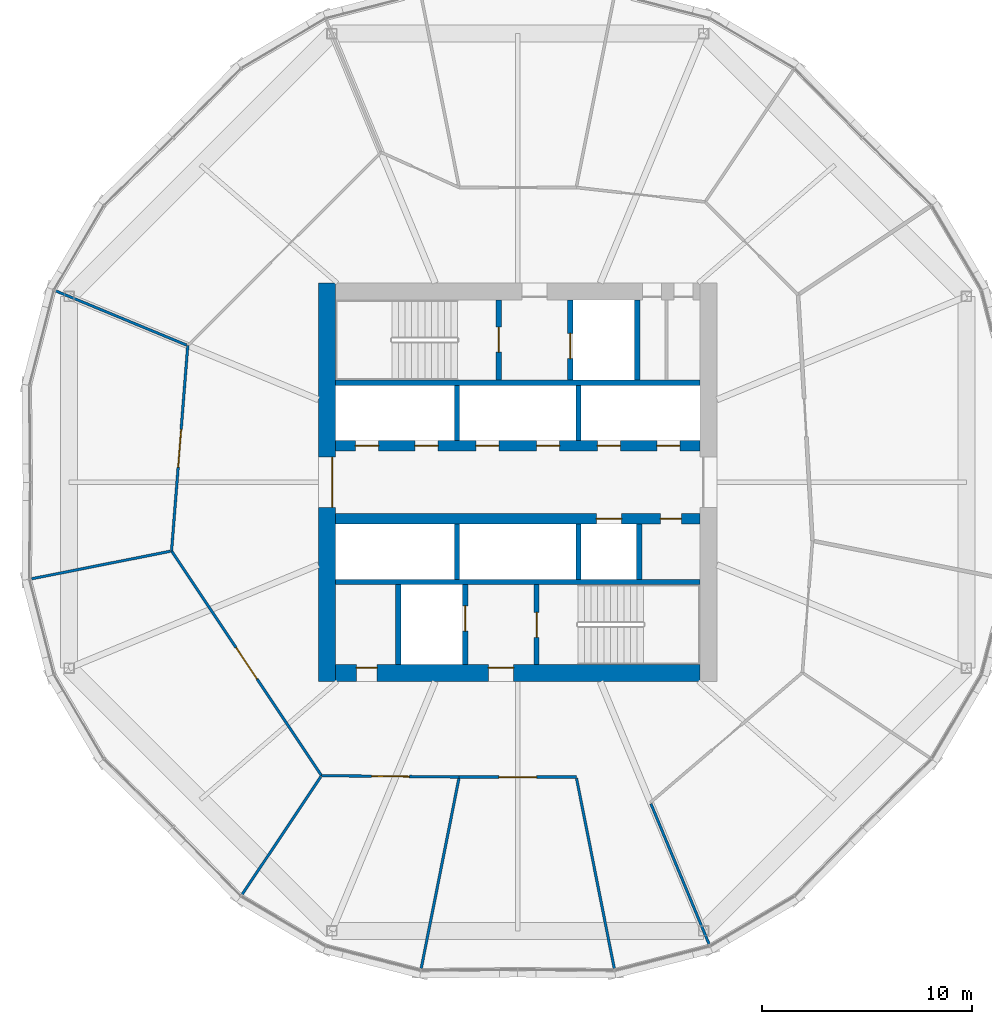
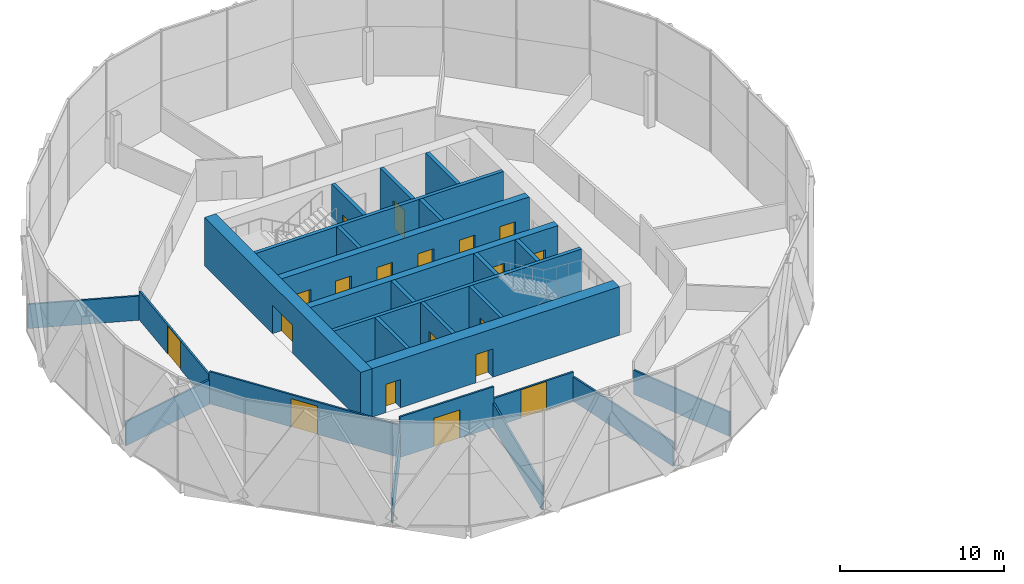
# One storey, part 22 of 31: 27 walls, 19 doors, 19 openings.
"""IFC4 building model written with IfcOpenShell, lengths in metres."""

import ifcopenshell
import ifcopenshell.guid

model = None  # the IFC model being written
_history = None  # IfcOwnerHistory: only IFC2X3 demands one
_inside = {}  # id of a spatial element -> (the spatial element, [elements in it])
_under = {}  # id of a project, library or spatial element -> (it, [spatial elements below it])
_declared = {}  # id of a project -> (the project, [libraries it declares])
_typed = {}  # id of a type object -> (the type object, [elements of that type])
_made_of = {}  # id of a material, layer set ... -> (it, [elements and type objects made of it])


def new_model(schema):
    """Start an empty IFC model of exactly this schema.

    Asked for "IFC4X3", IfcOpenShell would pick the latest addendum, in which some entities
    have other attributes; the version numbers below select the first issue.
    IFC2X3 requires an IfcOwnerHistory on every rooted entity: one is made here for all.
    """
    global model, _history
    if schema == "IFC4X3":
        model = ifcopenshell.file(schema_version=(4, 3, 0, 0))
    else:
        model = ifcopenshell.file(schema=schema)
    _inside.clear()
    _under.clear()
    _declared.clear()
    _typed.clear()
    _made_of.clear()
    _history = None
    if model.schema == "IFC2X3":
        org = make("IfcOrganization", Name="unknown")
        user = make(
            "IfcPersonAndOrganization",
            ThePerson=make("IfcPerson", FamilyName="unknown"),
            TheOrganization=org,
        )
        app = make(
            "IfcApplication",
            ApplicationDeveloper=org,
            Version="unknown",
            ApplicationFullName="unknown",
            ApplicationIdentifier="unknown",
        )
        _history = make(
            "IfcOwnerHistory",
            OwningUser=user,
            OwningApplication=app,
            ChangeAction="ADDED",
            CreationDate=0,
        )
    return model


def make(cls, **values):
    """One entity of the class cls with the attributes given. An attribute that is None is left unset."""
    return model.create_entity(
        cls, **{name: value for name, value in values.items() if value is not None}
    )


def rooted(cls, **values):
    """An entity with a GlobalId (a new one), such as an element, a storey or a relation."""
    return make(cls, GlobalId=ifcopenshell.guid.new(), OwnerHistory=_history, **values)


def si_unit(unit_type, name, prefix=None):
    """IfcSIUnit, for example si_unit("LENGTHUNIT", "METRE", prefix="MILLI")."""
    return make("IfcSIUnit", UnitType=unit_type, Prefix=prefix, Name=name)


def assignment(units):
    """IfcUnitAssignment: the units of a project."""
    return None if units is None else make("IfcUnitAssignment", Units=units)


def point(xyz):
    """IfcCartesianPoint."""
    return None if xyz is None else make("IfcCartesianPoint", Coordinates=xyz)


def direction(xyz):
    """IfcDirection."""
    return None if xyz is None else make("IfcDirection", DirectionRatios=xyz)


def frame(location, z_axis=None, x_axis=None):
    """IfcAxis2Placement3D, a coordinate frame: its origin and axes. An axis left out is left unset."""
    return make(
        "IfcAxis2Placement3D",
        Location=point(location),
        Axis=direction(z_axis),
        RefDirection=direction(x_axis),
    )


def frame_2d(location, x_axis=None):
    """IfcAxis2Placement2D, a coordinate frame in the plane: its origin and x axis."""
    return make(
        "IfcAxis2Placement2D", Location=point(location), RefDirection=direction(x_axis)
    )


def origin():
    """The frame at (0, 0, 0) with its axes left unset."""
    return frame((0.0, 0.0, 0.0))


def place(relative_to, where):
    """IfcLocalPlacement: puts the frame where relative to a parent placement (None: the world)."""
    return make(
        "IfcLocalPlacement", PlacementRelTo=relative_to, RelativePlacement=where
    )


def context(
    kind, dimensions, precision=None, world=None, true_north=None, identifier=None
):
    """IfcGeometricRepresentationContext, for example the 3D "Model" context."""
    return make(
        "IfcGeometricRepresentationContext",
        ContextIdentifier=identifier,
        ContextType=kind,
        CoordinateSpaceDimension=dimensions,
        Precision=precision,
        WorldCoordinateSystem=world,
        TrueNorth=true_north,
    )


def subcontext(parent, identifier, kind, view, scale=None):
    """IfcGeometricRepresentationSubContext, for example "Body" below "Model"."""
    return make(
        "IfcGeometricRepresentationSubContext",
        ContextIdentifier=identifier,
        ContextType=kind,
        ParentContext=parent,
        TargetScale=scale,
        TargetView=view,
    )


def project(units=None, contexts=None):
    """IfcProject with its units and contexts."""
    return rooted(
        "IfcProject",
        Name="project",
        RepresentationContexts=contexts,
        UnitsInContext=assignment(units),
    )


def spatial(cls, under=None, at=None, **own):
    """A site, building, storey or space (cls), placed at a placement, below another one or the project."""
    s = rooted(cls, ObjectPlacement=at, **own)
    if under is not None:
        _under.setdefault(under.id(), (under, []))[1].append(s)
    return s


def profile(cls, at=None, kind="AREA", **sizes):
    """A parametric profile (cls). Its sizes go by their IFC names, for example OverallWidth=200.0."""
    return make(cls, ProfileType=kind, Position=at, **sizes)


def rectangle(**sizes):
    """IfcRectangleProfileDef."""
    return profile("IfcRectangleProfileDef", **sizes)


def extrude(swept, where, along, depth):
    """IfcExtrudedAreaSolid: the profile swept, set in the frame where, extruded along a direction by depth."""
    return make(
        "IfcExtrudedAreaSolid",
        SweptArea=swept,
        Position=where,
        ExtrudedDirection=direction(along),
        Depth=depth,
    )


def shape(context_of_items, identifier, shape_type, items):
    """IfcShapeRepresentation: the items that make up one representation, for example the "Body"."""
    return make(
        "IfcShapeRepresentation",
        ContextOfItems=context_of_items,
        RepresentationIdentifier=identifier,
        RepresentationType=shape_type,
        Items=items,
    )


def material(Name=None, Category=None):
    """IfcMaterial."""
    return make("IfcMaterial", Name=Name, Category=Category)


def layer(
    of_material, thickness, ventilated=None, Name=None, Category=None, Priority=None
):
    """IfcMaterialLayer: one layer of a wall or slab, of a material (None: an air gap)."""
    return make(
        "IfcMaterialLayer",
        Material=of_material,
        LayerThickness=thickness,
        IsVentilated=ventilated,
        Name=Name,
        Category=Category,
        Priority=Priority,
    )


def layer_set(layers, Name=None):
    """IfcMaterialLayerSet."""
    return make("IfcMaterialLayerSet", MaterialLayers=layers, LayerSetName=Name)


def made_of(thing, what):
    """Note that an element or type object is made of a material, layer set ...; save() writes the relation."""
    if what is not None:
        _made_of.setdefault(what.id(), (what, []))[1].append(thing)
    return thing


def type_object(cls, material=None, **own):
    """A type object (cls), such as IfcWallType, which elements share."""
    return made_of(rooted(cls, **own), material)


def element(
    cls,
    number,
    at=None,
    inside=None,
    cuts=None,
    type_object=None,
    material=None,
    context=None,
    identifier="Body",
    shape_type=None,
    held_by="IfcProductDefinitionShape",
    body=None,
    shapes=None,
    **own,
):
    """One element of the class cls, such as IfcWall. Its Tag is "e" and its number.

    at: its placement. inside: the storey or other place that contains it. cuts: it is an
    opening in that element (IfcRelVoidsElement). A single representation is given by context,
    identifier, shape_type and body (its items); several are given by shapes. held_by: the class
    of the entity that holds the representations. save() writes the other relations.
    """
    e = rooted(cls, Tag="e%d" % number, ObjectPlacement=at, **own)
    if body is not None:
        shapes = [shape(context, identifier, shape_type, body)]
    if shapes is not None:
        e.Representation = make(held_by, Representations=shapes)
    if inside is not None:
        _inside.setdefault(inside.id(), (inside, []))[1].append(e)
    if cuts is not None:
        rooted(
            "IfcRelVoidsElement", RelatingBuildingElement=cuts, RelatedOpeningElement=e
        )
    if type_object is not None:
        _typed.setdefault(type_object.id(), (type_object, []))[1].append(e)
    return made_of(e, material)


def fill(opening, filler):
    """IfcRelFillsElement: the door or window that sits in an opening."""
    return rooted(
        "IfcRelFillsElement",
        RelatingOpeningElement=opening,
        RelatedBuildingElement=filler,
    )


def aggregate(whole, parts):
    """IfcRelAggregates: a whole, such as a stair, and the parts it consists of."""
    return rooted("IfcRelAggregates", RelatingObject=whole, RelatedObjects=parts)


def save(model, path):
    """Write the relations noted so far, then the file.

    IfcRelAggregates (storeys below a building ...), IfcRelContainedInSpatialStructure (elements
    in a storey), IfcRelDefinesByType, IfcRelAssociatesMaterial and IfcRelDeclares: one each for
    every whole, place, type object, material and project.
    """
    for whole, parts in _under.values():
        aggregate(whole, parts)
    for where, things in _inside.values():
        rooted(
            "IfcRelContainedInSpatialStructure",
            RelatedElements=things,
            RelatingStructure=where,
        )
    for kind, things in _typed.values():
        rooted("IfcRelDefinesByType", RelatedObjects=things, RelatingType=kind)
    for what, things in _made_of.values():
        rooted("IfcRelAssociatesMaterial", RelatedObjects=things, RelatingMaterial=what)
    for by, libraries in _declared.values():
        rooted("IfcRelDeclares", RelatingContext=by, RelatedDefinitions=libraries)
    model.write(path)


model = new_model("IFC4")

# Units and contexts
model_context = context("Model", 3, precision=1e-05, world=origin(), true_north=direction((0.0, 1.0)))
body_context = subcontext(model_context, "Body", "Model", "MODEL_VIEW")
ifc_project = project(units=[si_unit("LENGTHUNIT", "METRE"), si_unit("AREAUNIT", "SQUARE_METRE"), si_unit("VOLUMEUNIT", "CUBIC_METRE"), si_unit("PLANEANGLEUNIT", "RADIAN"), si_unit("MASSUNIT", "GRAM", prefix="KILO")], contexts=[model_context])

# Site, building, storey
site_placement = place(None, origin())
site = spatial("IfcSite", under=ifc_project, at=site_placement, CompositionType="ELEMENT")
building_placement = place(site_placement, origin())
building = spatial("IfcBuilding", under=site, at=building_placement, Name="Ogive Gate Towers", CompositionType="ELEMENT")
storey_placement = place(building_placement, frame((0.0, 0.0, 107.39990234375)))
storey = spatial("IfcBuildingStorey", under=building, at=storey_placement, Name="L25", CompositionType="ELEMENT", Elevation=107.39990234375)

# Wall, openings, doors
ifc_material_1 = material(Name="Concrete C60/75", Category="concrete")
ifc_layer_1 = layer(ifc_material_1, 0.800048828125)
ifc_layer_set_1 = layer_set([ifc_layer_1], Name="Core wall 800 mm")
wall_type_1 = type_object("IfcWallType", Name="Core wall 800 mm", PredefinedType="SHEAR", material=ifc_layer_set_1)
wall_1_placement = place(storey_placement, frame((-44.699951171875, -9.10009765625, 0.0), z_axis=(0.0, 0.0, 1.0), x_axis=(1.0, 0.0, 0.0)))
wall_1 = element("IfcWall", 1, at=wall_1_placement, inside=storey, type_object=wall_type_1, Name="T1 L25 Core wall 800 mm", PredefinedType="SHEAR", context=body_context, shape_type="SweptSolid", body=[
    extrude(rectangle(XDim=17.39990234375, YDim=0.800048828125, at=frame_2d((8.699951171875, 0.0))), origin(), (0.0, 0.0, 1.0), 3.60009765625),
])
opening_1_placement = place(wall_1_placement, frame((7.300048828125, 0.0, 0.0)))
opening_1 = element("IfcOpeningElement", 2, at=opening_1_placement, cuts=wall_1, Name="Opening KD-T1-L25-16", PredefinedType="OPENING", context=body_context, shape_type="SweptSolid", body=[
    extrude(rectangle(XDim=1.199951171875, YDim=2.10009765625, at=frame_2d((0.60009765625, 1.050048828125))), frame((0.0, 0.41015625, 0.0), z_axis=(0.0, -1.0, 0.0), x_axis=(1.0, 0.0, 0.0)), (0.0, 0.0, 1.0), 0.820068359375),
])
opening_2_placement = place(wall_1_placement, frame((1.0, 0.0, 0.0)))
opening_2 = element("IfcOpeningElement", 3, at=opening_2_placement, cuts=wall_1, Name="Opening KD-T1-L25-19", PredefinedType="OPENING", context=body_context, shape_type="SweptSolid", body=[
    extrude(rectangle(XDim=1.0, YDim=2.10009765625, at=frame_2d((0.5, 1.050048828125))), frame((0.0, 0.41015625, 0.0), z_axis=(0.0, -1.0, 0.0), x_axis=(1.0, 0.0, 0.0)), (0.0, 0.0, 1.0), 0.820068359375),
])
ifc_material_2 = material(Name="Timber door", Category="wood")
door_type_1 = type_object("IfcDoorType", Name="Accessible WC door 1000 x 2100", OperationType="NOTDEFINED", PredefinedType="DOOR", material=ifc_material_2)
door_1_placement = place(opening_2_placement, origin())
door_1 = element("IfcDoor", 4, at=door_1_placement, inside=storey, type_object=door_type_1, Name="T1 L25 Core door", OperationType="SINGLE_SWING_RIGHT", OverallHeight=2.10009765625, OverallWidth=1.0, PredefinedType="DOOR", context=body_context, shape_type="SweptSolid", body=[
    extrude(rectangle(XDim=1.0, YDim=2.10009765625, at=frame_2d((0.5, 1.050048828125))), frame((0.0, 0.27490234375, 0.0), z_axis=(0.0, -1.0, 0.0), x_axis=(1.0, 0.0, 0.0)), (0.0, 0.0, 1.0), 0.050048828125),
])
fill(opening_2, door_1)
ifc_material_3 = material(Name="Steel fire door", Category="steel")
door_type_2 = type_object("IfcDoorType", Name="Core door FD60S 1200 x 2100", OperationType="NOTDEFINED", PredefinedType="DOOR", material=ifc_material_3)
door_2_placement = place(opening_1_placement, origin())
door_2 = element("IfcDoor", 5, at=door_2_placement, inside=storey, type_object=door_type_2, Name="T1 L25 Fire-fighting lobby door", OperationType="SINGLE_SWING_LEFT", OverallHeight=2.10009765625, OverallWidth=1.199951171875, PredefinedType="DOOR", context=body_context, shape_type="SweptSolid", body=[
    extrude(rectangle(XDim=1.199951171875, YDim=2.10009765625, at=frame_2d((0.60009765625, 1.050048828125))), frame((0.0, 0.27490234375, 0.0), z_axis=(0.0, -1.0, 0.0), x_axis=(1.0, 0.0, 0.0)), (0.0, 0.0, 1.0), 0.050048828125),
])
fill(opening_1, door_2)

# Wall, opening, door
wall_2_placement = place(storey_placement, frame((-45.10009765625, -9.5, 0.0), z_axis=(0.0, 0.0, 1.0), x_axis=(0.0, 1.0, 0.0)))
wall_2 = element("IfcWall", 6, at=wall_2_placement, inside=storey, type_object=wall_type_1, Name="T1 L25 Core wall 800 mm", PredefinedType="SHEAR", context=body_context, shape_type="SweptSolid", body=[
    extrude(rectangle(XDim=19.0, YDim=0.800048828125, at=frame_2d((9.5, 0.0))), origin(), (0.0, 0.0, 1.0), 3.60009765625),
])
opening_3_placement = place(wall_2_placement, frame((8.300048828125, 0.0, 0.0)))
opening_3 = element("IfcOpeningElement", 7, at=opening_3_placement, cuts=wall_2, Name="Opening KD-T1-L25-01", PredefinedType="OPENING", context=body_context, shape_type="SweptSolid", body=[
    extrude(rectangle(XDim=2.39990234375, YDim=2.10009765625, at=frame_2d((1.199951171875, 1.050048828125))), frame((0.0, 0.41015625, 0.0), z_axis=(0.0, -1.0, 0.0), x_axis=(1.0, 0.0, 0.0)), (0.0, 0.0, 1.0), 0.820068359375),
])
door_type_3 = type_object("IfcDoorType", Name="Core double door FD60S 2400 x 2100", OperationType="DOUBLE_DOOR_SINGLE_SWING", PredefinedType="DOOR", material=ifc_material_3)
door_3_placement = place(opening_3_placement, origin())
door_3 = element("IfcDoor", 8, at=door_3_placement, inside=storey, type_object=door_type_3, Name="T1 L25 Core door double", OperationType="DOUBLE_DOOR_SINGLE_SWING", OverallHeight=2.10009765625, OverallWidth=2.39990234375, PredefinedType="DOOR", context=body_context, shape_type="SweptSolid", body=[
    extrude(rectangle(XDim=2.39990234375, YDim=2.10009765625, at=frame_2d((1.199951171875, 1.050048828125))), frame((0.0, -0.22509765625, 0.0), z_axis=(0.0, -1.0, 0.0), x_axis=(1.0, 0.0, 0.0)), (0.0, 0.0, 1.0), 0.050048828125),
])
fill(opening_3, door_3)

# Walls
ifc_material_4 = material(Name="Gypsum board partition")
ifc_layer_2 = layer(ifc_material_4, 0.125)
ifc_layer_set_2 = layer_set([ifc_layer_2], Name="Partition 125")
wall_type_2 = type_object("IfcWallType", Name="Partition 125", PredefinedType="PARTITIONING", material=ifc_layer_set_2)
wall_3_placement = place(storey_placement, frame((-58.103515625, 9.155517578125, 0.0), z_axis=(0.0, 0.0, 1.0), x_axis=(0.923890080422, -0.382657966464, 0.0)))
element("IfcWall", 9, at=wall_3_placement, inside=storey, type_object=wall_type_2, Name="Partition T1-L25-006", PredefinedType="PARTITIONING", context=body_context, shape_type="SweptSolid", body=[
    extrude(rectangle(XDim=6.831298828125, YDim=0.125, at=frame_2d((3.41552734375, 0.0))), origin(), (0.0, 0.0, 1.0), 1.800048828125),
])
wall_4_placement = place(storey_placement, frame((-59.186767578125, -4.6044921875, 0.0), z_axis=(0.0, 0.0, 1.0), x_axis=(0.980842853363, 0.194800659668, 0.0)))
element("IfcWall", 10, at=wall_4_placement, inside=storey, type_object=wall_type_2, Name="Partition T1-L25-007", PredefinedType="PARTITIONING", context=body_context, shape_type="SweptSolid", body=[
    extrude(rectangle(XDim=6.746337890625, YDim=0.125, at=frame_2d((3.373046875, 0.0))), origin(), (0.0, 0.0, 1.0), 1.800048828125),
])
wall_5_placement = place(storey_placement, frame((-49.213623046875, -19.761962890625, 0.0), z_axis=(0.0, 0.0, 1.0), x_axis=(0.555813477334, 0.831307030172, 0.0)))
element("IfcWall", 11, at=wall_5_placement, inside=storey, type_object=wall_type_2, Name="Partition T1-L25-008", PredefinedType="PARTITIONING", context=body_context, shape_type="SweptSolid", body=[
    extrude(rectangle(XDim=6.879638671875, YDim=0.125, at=frame_2d((3.43994140625, 0.0))), origin(), (0.0, 0.0, 1.0), 1.800048828125),
])
for number, where, z_axis, x_axis, name in (
    (12, (-40.6044921875, -23.186767578125, 0.0), (0.0, 0.0, 1.0), (0.194780532368, 0.980846850538, 0.0), "Partition T1-L25-009"),
    (13, (-31.3955078125, -23.186767578125, 0.0), (0.0, 0.0, 1.0), (-0.194780532368, 0.980846850538, 0.0), "Partition T1-L25-010"),
):
    element("IfcWall", number, at=place(storey_placement, frame(where, z_axis=z_axis, x_axis=x_axis)), inside=storey, type_object=wall_type_2, Name=name, PredefinedType="PARTITIONING", context=body_context, shape_type="SweptSolid", body=[
        extrude(rectangle(XDim=9.246337890625, YDim=0.125, at=frame_2d((4.623046875, 0.0))), origin(), (0.0, 0.0, 1.0), 1.800048828125),
    ])
wall_6_placement = place(storey_placement, frame((-26.844482421875, -22.103515625, 0.0), z_axis=(0.0, 0.0, 1.0), x_axis=(-0.382668456464, 0.923885735591, 0.0)))
element("IfcWall", 14, at=wall_6_placement, inside=storey, type_object=wall_type_2, Name="Partition T1-L25-011", PredefinedType="PARTITIONING", context=body_context, shape_type="SweptSolid", body=[
    extrude(rectangle(XDim=7.331298828125, YDim=0.125, at=frame_2d((3.66552734375, 0.0))), origin(), (0.0, 0.0, 1.0), 1.800048828125),
])

# Wall, opening, door
wall_7_placement = place(storey_placement, frame((-51.734619140625, 6.517578125, 0.0), z_axis=(0.0, 0.0, 1.0), x_axis=(-0.078734974161, -0.99689558322, 0.0)))
wall_7 = element("IfcWall", 15, at=wall_7_placement, inside=storey, type_object=wall_type_2, Name="Partition T1-L25-022", PredefinedType="PARTITIONING", context=body_context, shape_type="SweptSolid", body=[
    extrude(rectangle(XDim=9.826416015625, YDim=0.125, at=frame_2d((4.9130859375, 0.0))), origin(), (0.0, 0.0, 1.0), 2.14013671875),
])
opening_4_placement = place(wall_7_placement, frame((4.012939453125, 0.0, 0.0)))
opening_4 = element("IfcOpeningElement", 16, at=opening_4_placement, cuts=wall_7, Name="Opening T1-L25-D09", PredefinedType="OPENING", context=body_context, shape_type="SweptSolid", body=[
    extrude(rectangle(XDim=1.800048828125, YDim=2.10009765625, at=frame_2d((0.89990234375, 1.050048828125))), frame((0.0, 0.072509765625, 0.0), z_axis=(0.0, -1.0, 0.0), x_axis=(1.0, 0.0, 0.0)), (0.0, 0.0, 1.0), 0.14501953125),
])
door_type_4 = type_object("IfcDoorType", Name="Door pair 1800", OperationType="NOTDEFINED", PredefinedType="DOOR", material=ifc_material_2)
door_4_placement = place(opening_4_placement, origin())
door_4 = element("IfcDoor", 17, at=door_4_placement, inside=storey, type_object=door_type_4, Name="Door T1-L25-D09", OperationType="DOUBLE_DOOR_DOUBLE_SWING", OverallHeight=2.10009765625, OverallWidth=1.800048828125, PredefinedType="DOOR", context=body_context, shape_type="SweptSolid", body=[
    extrude(rectangle(XDim=1.800048828125, YDim=2.10009765625, at=frame_2d((0.89990234375, 1.050048828125))), frame((0.0, 0.02490234375, 0.0), z_axis=(0.0, -1.0, 0.0), x_axis=(1.0, 0.0, 0.0)), (0.0, 0.0, 1.0), 0.050048828125),
])
fill(opening_4, door_4)

wall_8_placement = place(storey_placement, frame((-52.50830078125, -3.2783203125, 0.0), z_axis=(0.0, 0.0, 1.0), x_axis=(0.555312362094, -0.831641858317, 0.0)))
wall_8 = element("IfcWall", 18, at=wall_8_placement, inside=storey, type_object=wall_type_2, Name="Partition T1-L25-023", PredefinedType="PARTITIONING", context=body_context, shape_type="SweptSolid", body=[
    extrude(rectangle(XDim=12.881591796875, YDim=0.125, at=frame_2d((6.44091796875, 0.0))), origin(), (0.0, 0.0, 1.0), 2.400146484375),
])
opening_5_placement = place(wall_8_placement, frame((5.541015625, 0.0, 0.0)))
opening_5 = element("IfcOpeningElement", 19, at=opening_5_placement, cuts=wall_8, Name="Opening T1-L25-D10", PredefinedType="OPENING", context=body_context, shape_type="SweptSolid", body=[
    extrude(rectangle(XDim=1.800048828125, YDim=2.10009765625, at=frame_2d((0.89990234375, 1.050048828125))), frame((0.0, 0.072509765625, 0.0), z_axis=(0.0, -1.0, 0.0), x_axis=(1.0, 0.0, 0.0)), (0.0, 0.0, 1.0), 0.14501953125),
])
door_5_placement = place(opening_5_placement, origin())
door_5 = element("IfcDoor", 20, at=door_5_placement, inside=storey, type_object=door_type_4, Name="Door T1-L25-D10", OperationType="DOUBLE_DOOR_DOUBLE_SWING", OverallHeight=2.10009765625, OverallWidth=1.800048828125, PredefinedType="DOOR", context=body_context, shape_type="SweptSolid", body=[
    extrude(rectangle(XDim=1.800048828125, YDim=2.10009765625, at=frame_2d((0.89990234375, 1.050048828125))), frame((0.0, 0.02490234375, 0.0), z_axis=(0.0, -1.0, 0.0), x_axis=(1.0, 0.0, 0.0)), (0.0, 0.0, 1.0), 0.050048828125),
])
fill(opening_5, door_5)

wall_9_placement = place(storey_placement, frame((-45.35498046875, -13.9912109375, 0.0), z_axis=(0.0, 0.0, 1.0), x_axis=(0.999951058045, -0.009893508702, 0.0)))
wall_9 = element("IfcWall", 21, at=wall_9_placement, inside=storey, type_object=wall_type_2, Name="Partition T1-L25-024", PredefinedType="PARTITIONING", context=body_context, shape_type="SweptSolid", body=[
    extrude(rectangle(XDim=6.56396484375, YDim=0.125, at=frame_2d((3.281982421875, 0.0))), origin(), (0.0, 0.0, 1.0), 3.010009765625),
])
opening_6_placement = place(wall_9_placement, frame((2.382080078125, 0.0, 0.0)))
opening_6 = element("IfcOpeningElement", 22, at=opening_6_placement, cuts=wall_9, Name="Opening T1-L25-D11", PredefinedType="OPENING", context=body_context, shape_type="SweptSolid", body=[
    extrude(rectangle(XDim=1.800048828125, YDim=2.10009765625, at=frame_2d((0.89990234375, 1.050048828125))), frame((0.0, 0.072509765625, 0.0), z_axis=(0.0, -1.0, 0.0), x_axis=(1.0, 0.0, 0.0)), (0.0, 0.0, 1.0), 0.14501953125),
])
door_6_placement = place(opening_6_placement, origin())
door_6 = element("IfcDoor", 23, at=door_6_placement, inside=storey, type_object=door_type_4, Name="Door T1-L25-D11", OperationType="DOUBLE_DOOR_DOUBLE_SWING", OverallHeight=2.10009765625, OverallWidth=1.800048828125, PredefinedType="DOOR", context=body_context, shape_type="SweptSolid", body=[
    extrude(rectangle(XDim=1.800048828125, YDim=2.10009765625, at=frame_2d((0.89990234375, 1.050048828125))), frame((0.0, 0.02490234375, 0.0), z_axis=(0.0, -1.0, 0.0), x_axis=(1.0, 0.0, 0.0)), (0.0, 0.0, 1.0), 0.050048828125),
])
fill(opening_6, door_6)

wall_10_placement = place(storey_placement, frame((-38.791259765625, -14.05615234375, 0.0), z_axis=(0.0, 0.0, 1.0), x_axis=(1.0, 0.0, 0.0)))
wall_10 = element("IfcWall", 24, at=wall_10_placement, inside=storey, type_object=wall_type_2, Name="Partition T1-L25-025", PredefinedType="PARTITIONING", context=body_context, shape_type="SweptSolid", body=[
    extrude(rectangle(XDim=5.58251953125, YDim=0.125, at=frame_2d((2.791259765625, 0.0))), origin(), (0.0, 0.0, 1.0), 2.14013671875),
])
opening_7_placement = place(wall_10_placement, frame((1.89111328125, 0.0, 0.0)))
opening_7 = element("IfcOpeningElement", 25, at=opening_7_placement, cuts=wall_10, Name="Opening T1-L25-D12", PredefinedType="OPENING", context=body_context, shape_type="SweptSolid", body=[
    extrude(rectangle(XDim=1.800048828125, YDim=2.10009765625, at=frame_2d((0.89990234375, 1.050048828125))), frame((0.0, 0.072509765625, 0.0), z_axis=(0.0, -1.0, 0.0), x_axis=(1.0, 0.0, 0.0)), (0.0, 0.0, 1.0), 0.14501953125),
])
door_7_placement = place(opening_7_placement, origin())
door_7 = element("IfcDoor", 26, at=door_7_placement, inside=storey, type_object=door_type_4, Name="Door T1-L25-D12", OperationType="DOUBLE_DOOR_DOUBLE_SWING", OverallHeight=2.10009765625, OverallWidth=1.800048828125, PredefinedType="DOOR", context=body_context, shape_type="SweptSolid", body=[
    extrude(rectangle(XDim=1.800048828125, YDim=2.10009765625, at=frame_2d((0.89990234375, 1.050048828125))), frame((0.0, 0.02490234375, 0.0), z_axis=(0.0, -1.0, 0.0), x_axis=(1.0, 0.0, 0.0)), (0.0, 0.0, 1.0), 0.050048828125),
])
fill(opening_7, door_7)

# Walls
ifc_layer_3 = layer(ifc_material_1, 0.25)
ifc_layer_set_3 = layer_set([ifc_layer_3], Name="Shaft wall 250 mm")
wall_type_3 = type_object("IfcWallType", Name="Shaft wall 250 mm", PredefinedType="SHEAR", material=ifc_layer_set_3)
for number, where, z_axis, x_axis, name in (
    (27, (-44.699951171875, -4.75, 0.0), (0.0, 0.0, 1.0), (1.0, 0.0, 0.0), "T1 L25 Shaft wall 250 mm"),
    (28, (-44.699951171875, 4.75, 0.0), (0.0, 0.0, 1.0), (1.0, 0.0, 0.0), "T1 L25 Shaft wall 250 mm"),
):
    element("IfcWall", number, at=place(storey_placement, frame(where, z_axis=z_axis, x_axis=x_axis)), inside=storey, type_object=wall_type_3, Name=name, PredefinedType="SHEAR", context=body_context, shape_type="SweptSolid", body=[
        extrude(rectangle(XDim=17.39990234375, YDim=0.25, at=frame_2d((8.699951171875, 0.0))), origin(), (0.0, 0.0, 1.0), 3.60009765625),
    ])
wall_11_placement = place(storey_placement, frame((-41.699951171875, -8.699951171875, 0.0), z_axis=(0.0, 0.0, 1.0), x_axis=(0.0, 1.0, 0.0)))
element("IfcWall", 29, at=wall_11_placement, inside=storey, type_object=wall_type_3, Name="T1 L25 Shaft wall 250 mm", PredefinedType="SHEAR", context=body_context, shape_type="SweptSolid", body=[
    extrude(rectangle(XDim=3.824951171875, YDim=0.25, at=frame_2d((1.91259765625, 0.0))), origin(), (0.0, 0.0, 1.0), 3.60009765625),
])
for number, where, z_axis, x_axis, name in (
    (30, (-38.89990234375, -4.625, 0.0), (0.0, 0.0, 1.0), (0.0, 1.0, 0.0), "T1 L25 Shaft wall 250 mm"),
    (31, (-38.89990234375, 2.0, 0.0), (0.0, 0.0, 1.0), (0.0, 1.0, 0.0), "T1 L25 Shaft wall 250 mm"),
):
    element("IfcWall", number, at=place(storey_placement, frame(where, z_axis=z_axis, x_axis=x_axis)), inside=storey, type_object=wall_type_3, Name=name, PredefinedType="SHEAR", context=body_context, shape_type="SweptSolid", body=[
        extrude(rectangle(XDim=2.625, YDim=0.25, at=frame_2d((1.3125, 0.0))), origin(), (0.0, 0.0, 1.0), 3.60009765625),
    ])

# Wall, opening, door
wall_12_placement = place(storey_placement, frame((-38.5, -8.699951171875, 0.0), z_axis=(0.0, 0.0, 1.0), x_axis=(0.0, 1.0, 0.0)))
wall_12 = element("IfcWall", 32, at=wall_12_placement, inside=storey, type_object=wall_type_3, Name="T1 L25 Shaft wall 250 mm", PredefinedType="SHEAR", context=body_context, shape_type="SweptSolid", body=[
    extrude(rectangle(XDim=3.824951171875, YDim=0.25, at=frame_2d((1.91259765625, 0.0))), origin(), (0.0, 0.0, 1.0), 3.60009765625),
])
opening_8_placement = place(wall_12_placement, frame((1.60009765625, 0.0, 0.0)))
opening_8 = element("IfcOpeningElement", 33, at=opening_8_placement, cuts=wall_12, Name="Opening LD-T1-L25-11", PredefinedType="OPENING", context=body_context, shape_type="SweptSolid", body=[
    extrude(rectangle(XDim=1.199951171875, YDim=2.10009765625, at=frame_2d((0.60009765625, 1.050048828125))), frame((0.0, 0.135009765625, 0.0), z_axis=(0.0, -1.0, 0.0), x_axis=(1.0, 0.0, 0.0)), (0.0, 0.0, 1.0), 0.27001953125),
])
ifc_material_5 = material(Name="Stainless steel landing door", Category="steel")
door_type_5 = type_object("IfcDoorType", Name="Landing door 1200 x 2100", OperationType="SLIDING_TO_LEFT", PredefinedType="DOOR", material=ifc_material_5)
door_8_placement = place(opening_8_placement, origin())
door_8 = element("IfcDoor", 34, at=door_8_placement, inside=storey, type_object=door_type_5, Name="T1 L25 Lift landing door FF2", OperationType="SLIDING_TO_LEFT", OverallHeight=2.10009765625, OverallWidth=1.199951171875, PredefinedType="DOOR", context=body_context, shape_type="SweptSolid", body=[
    extrude(rectangle(XDim=1.199951171875, YDim=2.10009765625, at=frame_2d((0.60009765625, 1.050048828125))), frame((0.0, 0.02490234375, 0.0), z_axis=(0.0, -1.0, 0.0), x_axis=(1.0, 0.0, 0.0)), (0.0, 0.0, 1.0), 0.050048828125),
])
fill(opening_8, door_8)

wall_13_placement = place(storey_placement, frame((-36.89990234375, 4.875, 0.0), z_axis=(0.0, 0.0, 1.0), x_axis=(0.0, 1.0, 0.0)))
wall_13 = element("IfcWall", 35, at=wall_13_placement, inside=storey, type_object=wall_type_3, Name="T1 L25 Shaft wall 250 mm", PredefinedType="SHEAR", context=body_context, shape_type="SweptSolid", body=[
    extrude(rectangle(XDim=3.824951171875, YDim=0.25, at=frame_2d((1.91259765625, 0.0))), origin(), (0.0, 0.0, 1.0), 3.60009765625),
])
opening_9_placement = place(wall_13_placement, frame((1.324951171875, 0.0, 0.0)))
opening_9 = element("IfcOpeningElement", 36, at=opening_9_placement, cuts=wall_13, Name="Opening KD-T1-L25-13", PredefinedType="OPENING", context=body_context, shape_type="SweptSolid", body=[
    extrude(rectangle(XDim=1.199951171875, YDim=2.10009765625, at=frame_2d((0.60009765625, 1.050048828125))), frame((0.0, 0.135009765625, 0.0), z_axis=(0.0, -1.0, 0.0), x_axis=(1.0, 0.0, 0.0)), (0.0, 0.0, 1.0), 0.27001953125),
])
door_9_placement = place(opening_9_placement, origin())
door_9 = element("IfcDoor", 37, at=door_9_placement, inside=storey, type_object=door_type_2, Name="T1 L25 Stair door", OperationType="SINGLE_SWING_RIGHT", OverallHeight=2.10009765625, OverallWidth=1.199951171875, PredefinedType="DOOR", context=body_context, shape_type="SweptSolid", body=[
    extrude(rectangle(XDim=1.199951171875, YDim=2.10009765625, at=frame_2d((0.60009765625, 1.050048828125))), frame((0.0, 0.02490234375, 0.0), z_axis=(0.0, -1.0, 0.0), x_axis=(1.0, 0.0, 0.0)), (0.0, 0.0, 1.0), 0.050048828125),
])
fill(opening_9, door_9)

wall_14_placement = place(storey_placement, frame((-35.10009765625, -8.699951171875, 0.0), z_axis=(0.0, 0.0, 1.0), x_axis=(0.0, 1.0, 0.0)))
wall_14 = element("IfcWall", 38, at=wall_14_placement, inside=storey, type_object=wall_type_3, Name="T1 L25 Shaft wall 250 mm", PredefinedType="SHEAR", context=body_context, shape_type="SweptSolid", body=[
    extrude(rectangle(XDim=3.824951171875, YDim=0.25, at=frame_2d((1.91259765625, 0.0))), origin(), (0.0, 0.0, 1.0), 3.60009765625),
])
opening_10_placement = place(wall_14_placement, frame((1.300048828125, 0.0, 0.0)))
opening_10 = element("IfcOpeningElement", 39, at=opening_10_placement, cuts=wall_14, Name="Opening KD-T1-L25-14", PredefinedType="OPENING", context=body_context, shape_type="SweptSolid", body=[
    extrude(rectangle(XDim=1.199951171875, YDim=2.10009765625, at=frame_2d((0.60009765625, 1.050048828125))), frame((0.0, 0.135009765625, 0.0), z_axis=(0.0, -1.0, 0.0), x_axis=(1.0, 0.0, 0.0)), (0.0, 0.0, 1.0), 0.27001953125),
])
door_10_placement = place(opening_10_placement, origin())
door_10 = element("IfcDoor", 40, at=door_10_placement, inside=storey, type_object=door_type_2, Name="T1 L25 Stair door", OperationType="SINGLE_SWING_LEFT", OverallHeight=2.10009765625, OverallWidth=1.199951171875, PredefinedType="DOOR", context=body_context, shape_type="SweptSolid", body=[
    extrude(rectangle(XDim=1.199951171875, YDim=2.10009765625, at=frame_2d((0.60009765625, 1.050048828125))), frame((0.0, 0.02490234375, 0.0), z_axis=(0.0, -1.0, 0.0), x_axis=(1.0, 0.0, 0.0)), (0.0, 0.0, 1.0), 0.050048828125),
])
fill(opening_10, door_10)

wall_15_placement = place(storey_placement, frame((-33.5, 4.875, 0.0), z_axis=(0.0, 0.0, 1.0), x_axis=(0.0, 1.0, 0.0)))
wall_15 = element("IfcWall", 41, at=wall_15_placement, inside=storey, type_object=wall_type_3, Name="T1 L25 Shaft wall 250 mm", PredefinedType="SHEAR", context=body_context, shape_type="SweptSolid", body=[
    extrude(rectangle(XDim=3.824951171875, YDim=0.25, at=frame_2d((1.91259765625, 0.0))), origin(), (0.0, 0.0, 1.0), 3.60009765625),
])
opening_11_placement = place(wall_15_placement, frame((1.02490234375, 0.0, 0.0)))
opening_11 = element("IfcOpeningElement", 42, at=opening_11_placement, cuts=wall_15, Name="Opening LD-T1-L25-10", PredefinedType="OPENING", context=body_context, shape_type="SweptSolid", body=[
    extrude(rectangle(XDim=1.199951171875, YDim=2.10009765625, at=frame_2d((0.60009765625, 1.050048828125))), frame((0.0, 0.135009765625, 0.0), z_axis=(0.0, -1.0, 0.0), x_axis=(1.0, 0.0, 0.0)), (0.0, 0.0, 1.0), 0.27001953125),
])
door_11_placement = place(opening_11_placement, origin())
door_11 = element("IfcDoor", 43, at=door_11_placement, inside=storey, type_object=door_type_5, Name="T1 L25 Lift landing door FF1", OperationType="SLIDING_TO_LEFT", OverallHeight=2.10009765625, OverallWidth=1.199951171875, PredefinedType="DOOR", context=body_context, shape_type="SweptSolid", body=[
    extrude(rectangle(XDim=1.199951171875, YDim=2.10009765625, at=frame_2d((0.60009765625, 1.050048828125))), frame((0.0, 0.02490234375, 0.0), z_axis=(0.0, -1.0, 0.0), x_axis=(1.0, 0.0, 0.0)), (0.0, 0.0, 1.0), 0.050048828125),
])
fill(opening_11, door_11)

# Walls
for number, where, z_axis, x_axis, name in (
    (44, (-33.10009765625, -4.625, 0.0), (0.0, 0.0, 1.0), (0.0, 1.0, 0.0), "T1 L25 Shaft wall 250 mm"),
    (45, (-33.10009765625, 2.0, 0.0), (0.0, 0.0, 1.0), (0.0, 1.0, 0.0), "T1 L25 Shaft wall 250 mm"),
):
    element("IfcWall", number, at=place(storey_placement, frame(where, z_axis=z_axis, x_axis=x_axis)), inside=storey, type_object=wall_type_3, Name=name, PredefinedType="SHEAR", context=body_context, shape_type="SweptSolid", body=[
        extrude(rectangle(XDim=2.625, YDim=0.25, at=frame_2d((1.3125, 0.0))), origin(), (0.0, 0.0, 1.0), 3.60009765625),
    ])
wall_16_placement = place(storey_placement, frame((-30.300048828125, 4.875, 0.0), z_axis=(0.0, 0.0, 1.0), x_axis=(0.0, 1.0, 0.0)))
element("IfcWall", 46, at=wall_16_placement, inside=storey, type_object=wall_type_3, Name="T1 L25 Shaft wall 250 mm", PredefinedType="SHEAR", context=body_context, shape_type="SweptSolid", body=[
    extrude(rectangle(XDim=3.824951171875, YDim=0.25, at=frame_2d((1.91259765625, 0.0))), origin(), (0.0, 0.0, 1.0), 3.60009765625),
])
wall_17_placement = place(storey_placement, frame((-30.199951171875, -4.625, 0.0), z_axis=(0.0, 0.0, 1.0), x_axis=(0.0, 1.0, 0.0)))
element("IfcWall", 47, at=wall_17_placement, inside=storey, type_object=wall_type_3, Name="T1 L25 Shaft wall 250 mm", PredefinedType="SHEAR", context=body_context, shape_type="SweptSolid", body=[
    extrude(rectangle(XDim=2.625, YDim=0.25, at=frame_2d((1.3125, 0.0))), origin(), (0.0, 0.0, 1.0), 3.60009765625),
])

# Wall, openings, doors
ifc_layer_4 = layer(ifc_material_1, 0.5)
ifc_layer_set_4 = layer_set([ifc_layer_4], Name="Spine wall 500 mm")
wall_type_4 = type_object("IfcWallType", Name="Spine wall 500 mm", PredefinedType="SHEAR", material=ifc_layer_set_4)
wall_18_placement = place(storey_placement, frame((-44.699951171875, -1.75, 0.0), z_axis=(0.0, 0.0, 1.0), x_axis=(1.0, 0.0, 0.0)))
wall_18 = element("IfcWall", 48, at=wall_18_placement, inside=storey, type_object=wall_type_4, Name="T1 L25 Spine wall 500 mm", PredefinedType="SHEAR", context=body_context, shape_type="SweptSolid", body=[
    extrude(rectangle(XDim=17.39990234375, YDim=0.5, at=frame_2d((8.699951171875, 0.0))), origin(), (0.0, 0.0, 1.0), 3.60009765625),
])
opening_12_placement = place(wall_18_placement, frame((12.449951171875, 0.0, 0.0)))
opening_12 = element("IfcOpeningElement", 49, at=opening_12_placement, cuts=wall_18, Name="Opening LD-T1-L25-09", PredefinedType="OPENING", context=body_context, shape_type="SweptSolid", body=[
    extrude(rectangle(XDim=1.199951171875, YDim=2.10009765625, at=frame_2d((0.60009765625, 1.050048828125))), frame((0.0, 0.260009765625, 0.0), z_axis=(0.0, -1.0, 0.0), x_axis=(1.0, 0.0, 0.0)), (0.0, 0.0, 1.0), 0.52001953125),
])
opening_13_placement = place(wall_18_placement, frame((15.5, 0.0, 0.0)))
opening_13 = element("IfcOpeningElement", 50, at=opening_13_placement, cuts=wall_18, Name="Opening KD-T1-L25-12", PredefinedType="OPENING", context=body_context, shape_type="SweptSolid", body=[
    extrude(rectangle(XDim=1.0, YDim=2.10009765625, at=frame_2d((0.5, 1.050048828125))), frame((0.0, 0.260009765625, 0.0), z_axis=(0.0, -1.0, 0.0), x_axis=(1.0, 0.0, 0.0)), (0.0, 0.0, 1.0), 0.52001953125),
])
door_type_6 = type_object("IfcDoorType", Name="Core door FD60S 1000 x 2100", OperationType="NOTDEFINED", PredefinedType="DOOR", material=ifc_material_3)
door_12_placement = place(opening_13_placement, origin())
door_12 = element("IfcDoor", 51, at=door_12_placement, inside=storey, type_object=door_type_6, Name="T1 L25 Core door", OperationType="SINGLE_SWING_LEFT", OverallHeight=2.10009765625, OverallWidth=1.0, PredefinedType="DOOR", context=body_context, shape_type="SweptSolid", body=[
    extrude(rectangle(XDim=1.0, YDim=2.10009765625, at=frame_2d((0.5, 1.050048828125))), frame((0.0, 0.02490234375, 0.0), z_axis=(0.0, -1.0, 0.0), x_axis=(1.0, 0.0, 0.0)), (0.0, 0.0, 1.0), 0.050048828125),
])
fill(opening_13, door_12)
door_13_placement = place(opening_12_placement, origin())
door_13 = element("IfcDoor", 52, at=door_13_placement, inside=storey, type_object=door_type_5, Name="T1 L25 Lift landing door SVC", OperationType="SLIDING_TO_LEFT", OverallHeight=2.10009765625, OverallWidth=1.199951171875, PredefinedType="DOOR", context=body_context, shape_type="SweptSolid", body=[
    extrude(rectangle(XDim=1.199951171875, YDim=2.10009765625, at=frame_2d((0.60009765625, 1.050048828125))), frame((0.0, 0.02490234375, 0.0), z_axis=(0.0, -1.0, 0.0), x_axis=(1.0, 0.0, 0.0)), (0.0, 0.0, 1.0), 0.050048828125),
])
fill(opening_12, door_13)

wall_19_placement = place(storey_placement, frame((-44.699951171875, 1.75, 0.0), z_axis=(0.0, 0.0, 1.0), x_axis=(1.0, 0.0, 0.0)))
wall_19 = element("IfcWall", 53, at=wall_19_placement, inside=storey, type_object=wall_type_4, Name="T1 L25 Spine wall 500 mm", PredefinedType="SHEAR", context=body_context, shape_type="SweptSolid", body=[
    extrude(rectangle(XDim=17.39990234375, YDim=0.5, at=frame_2d((8.699951171875, 0.0))), origin(), (0.0, 0.0, 1.0), 3.60009765625),
])
opening_14_placement = place(wall_19_placement, frame((0.96240234375, 0.0, 0.0)))
opening_14 = element("IfcOpeningElement", 54, at=opening_14_placement, cuts=wall_19, Name="Opening LD-T1-L25-03", PredefinedType="OPENING", context=body_context, shape_type="SweptSolid", body=[
    extrude(rectangle(XDim=1.10009765625, YDim=2.10009765625, at=frame_2d((0.550048828125, 1.050048828125))), frame((0.0, 0.260009765625, 0.0), z_axis=(0.0, -1.0, 0.0), x_axis=(1.0, 0.0, 0.0)), (0.0, 0.0, 1.0), 0.52001953125),
])
opening_15_placement = place(wall_19_placement, frame((3.800048828125, 0.0, 0.0)))
opening_15 = element("IfcOpeningElement", 55, at=opening_15_placement, cuts=wall_19, Name="Opening LD-T1-L25-04", PredefinedType="OPENING", context=body_context, shape_type="SweptSolid", body=[
    extrude(rectangle(XDim=1.10009765625, YDim=2.10009765625, at=frame_2d((0.550048828125, 1.050048828125))), frame((0.0, 0.260009765625, 0.0), z_axis=(0.0, -1.0, 0.0), x_axis=(1.0, 0.0, 0.0)), (0.0, 0.0, 1.0), 0.52001953125),
])
opening_16_placement = place(wall_19_placement, frame((6.699951171875, 0.0, 0.0)))
opening_16 = element("IfcOpeningElement", 56, at=opening_16_placement, cuts=wall_19, Name="Opening LD-T1-L25-05", PredefinedType="OPENING", context=body_context, shape_type="SweptSolid", body=[
    extrude(rectangle(XDim=1.10009765625, YDim=2.10009765625, at=frame_2d((0.550048828125, 1.050048828125))), frame((0.0, 0.260009765625, 0.0), z_axis=(0.0, -1.0, 0.0), x_axis=(1.0, 0.0, 0.0)), (0.0, 0.0, 1.0), 0.52001953125),
])
opening_17_placement = place(wall_19_placement, frame((9.60009765625, 0.0, 0.0)))
opening_17 = element("IfcOpeningElement", 57, at=opening_17_placement, cuts=wall_19, Name="Opening LD-T1-L25-06", PredefinedType="OPENING", context=body_context, shape_type="SweptSolid", body=[
    extrude(rectangle(XDim=1.10009765625, YDim=2.10009765625, at=frame_2d((0.550048828125, 1.050048828125))), frame((0.0, 0.260009765625, 0.0), z_axis=(0.0, -1.0, 0.0), x_axis=(1.0, 0.0, 0.0)), (0.0, 0.0, 1.0), 0.52001953125),
])
opening_18_placement = place(wall_19_placement, frame((12.5, 0.0, 0.0)))
opening_18 = element("IfcOpeningElement", 58, at=opening_18_placement, cuts=wall_19, Name="Opening LD-T1-L25-07", PredefinedType="OPENING", context=body_context, shape_type="SweptSolid", body=[
    extrude(rectangle(XDim=1.10009765625, YDim=2.10009765625, at=frame_2d((0.550048828125, 1.050048828125))), frame((0.0, 0.260009765625, 0.0), z_axis=(0.0, -1.0, 0.0), x_axis=(1.0, 0.0, 0.0)), (0.0, 0.0, 1.0), 0.52001953125),
])
opening_19_placement = place(wall_19_placement, frame((15.33740234375, 0.0, 0.0)))
opening_19 = element("IfcOpeningElement", 59, at=opening_19_placement, cuts=wall_19, Name="Opening LD-T1-L25-08", PredefinedType="OPENING", context=body_context, shape_type="SweptSolid", body=[
    extrude(rectangle(XDim=1.10009765625, YDim=2.10009765625, at=frame_2d((0.550048828125, 1.050048828125))), frame((0.0, 0.260009765625, 0.0), z_axis=(0.0, -1.0, 0.0), x_axis=(1.0, 0.0, 0.0)), (0.0, 0.0, 1.0), 0.52001953125),
])
door_type_7 = type_object("IfcDoorType", Name="Landing door 1100 x 2100", OperationType="SLIDING_TO_LEFT", PredefinedType="DOOR", material=ifc_material_5)
door_14_placement = place(opening_14_placement, origin())
door_14 = element("IfcDoor", 60, at=door_14_placement, inside=storey, type_object=door_type_7, Name="T1 L25 Lift landing door A1", OperationType="SLIDING_TO_LEFT", OverallHeight=2.10009765625, OverallWidth=1.10009765625, PredefinedType="DOOR", context=body_context, shape_type="SweptSolid", body=[
    extrude(rectangle(XDim=1.10009765625, YDim=2.10009765625, at=frame_2d((0.550048828125, 1.050048828125))), frame((0.0, 0.02490234375, 0.0), z_axis=(0.0, -1.0, 0.0), x_axis=(1.0, 0.0, 0.0)), (0.0, 0.0, 1.0), 0.050048828125),
])
fill(opening_14, door_14)
door_15_placement = place(opening_15_placement, origin())
door_15 = element("IfcDoor", 61, at=door_15_placement, inside=storey, type_object=door_type_7, Name="T1 L25 Lift landing door A2", OperationType="SLIDING_TO_LEFT", OverallHeight=2.10009765625, OverallWidth=1.10009765625, PredefinedType="DOOR", context=body_context, shape_type="SweptSolid", body=[
    extrude(rectangle(XDim=1.10009765625, YDim=2.10009765625, at=frame_2d((0.550048828125, 1.050048828125))), frame((0.0, 0.02490234375, 0.0), z_axis=(0.0, -1.0, 0.0), x_axis=(1.0, 0.0, 0.0)), (0.0, 0.0, 1.0), 0.050048828125),
])
fill(opening_15, door_15)
door_16_placement = place(opening_16_placement, origin())
door_16 = element("IfcDoor", 62, at=door_16_placement, inside=storey, type_object=door_type_7, Name="T1 L25 Lift landing door A3", OperationType="SLIDING_TO_LEFT", OverallHeight=2.10009765625, OverallWidth=1.10009765625, PredefinedType="DOOR", context=body_context, shape_type="SweptSolid", body=[
    extrude(rectangle(XDim=1.10009765625, YDim=2.10009765625, at=frame_2d((0.550048828125, 1.050048828125))), frame((0.0, 0.02490234375, 0.0), z_axis=(0.0, -1.0, 0.0), x_axis=(1.0, 0.0, 0.0)), (0.0, 0.0, 1.0), 0.050048828125),
])
fill(opening_16, door_16)
door_17_placement = place(opening_17_placement, origin())
door_17 = element("IfcDoor", 63, at=door_17_placement, inside=storey, type_object=door_type_7, Name="T1 L25 Lift landing door A4", OperationType="SLIDING_TO_LEFT", OverallHeight=2.10009765625, OverallWidth=1.10009765625, PredefinedType="DOOR", context=body_context, shape_type="SweptSolid", body=[
    extrude(rectangle(XDim=1.10009765625, YDim=2.10009765625, at=frame_2d((0.550048828125, 1.050048828125))), frame((0.0, 0.02490234375, 0.0), z_axis=(0.0, -1.0, 0.0), x_axis=(1.0, 0.0, 0.0)), (0.0, 0.0, 1.0), 0.050048828125),
])
fill(opening_17, door_17)
door_18_placement = place(opening_18_placement, origin())
door_18 = element("IfcDoor", 64, at=door_18_placement, inside=storey, type_object=door_type_7, Name="T1 L25 Lift landing door A5", OperationType="SLIDING_TO_LEFT", OverallHeight=2.10009765625, OverallWidth=1.10009765625, PredefinedType="DOOR", context=body_context, shape_type="SweptSolid", body=[
    extrude(rectangle(XDim=1.10009765625, YDim=2.10009765625, at=frame_2d((0.550048828125, 1.050048828125))), frame((0.0, 0.02490234375, 0.0), z_axis=(0.0, -1.0, 0.0), x_axis=(1.0, 0.0, 0.0)), (0.0, 0.0, 1.0), 0.050048828125),
])
fill(opening_18, door_18)
door_19_placement = place(opening_19_placement, origin())
door_19 = element("IfcDoor", 65, at=door_19_placement, inside=storey, type_object=door_type_7, Name="T1 L25 Lift landing door A6", OperationType="SLIDING_TO_LEFT", OverallHeight=2.10009765625, OverallWidth=1.10009765625, PredefinedType="DOOR", context=body_context, shape_type="SweptSolid", body=[
    extrude(rectangle(XDim=1.10009765625, YDim=2.10009765625, at=frame_2d((0.550048828125, 1.050048828125))), frame((0.0, 0.02490234375, 0.0), z_axis=(0.0, -1.0, 0.0), x_axis=(1.0, 0.0, 0.0)), (0.0, 0.0, 1.0), 0.050048828125),
])
fill(opening_19, door_19)

save(model, "model.ifc")
